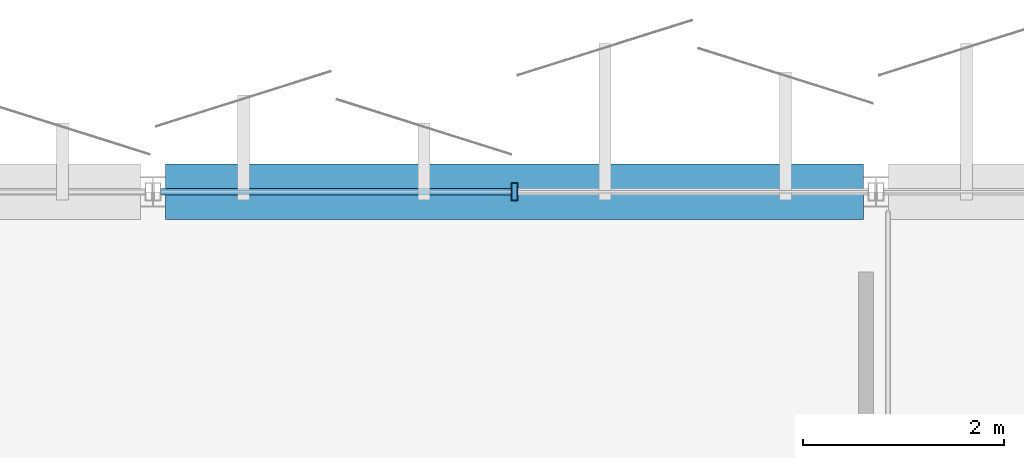
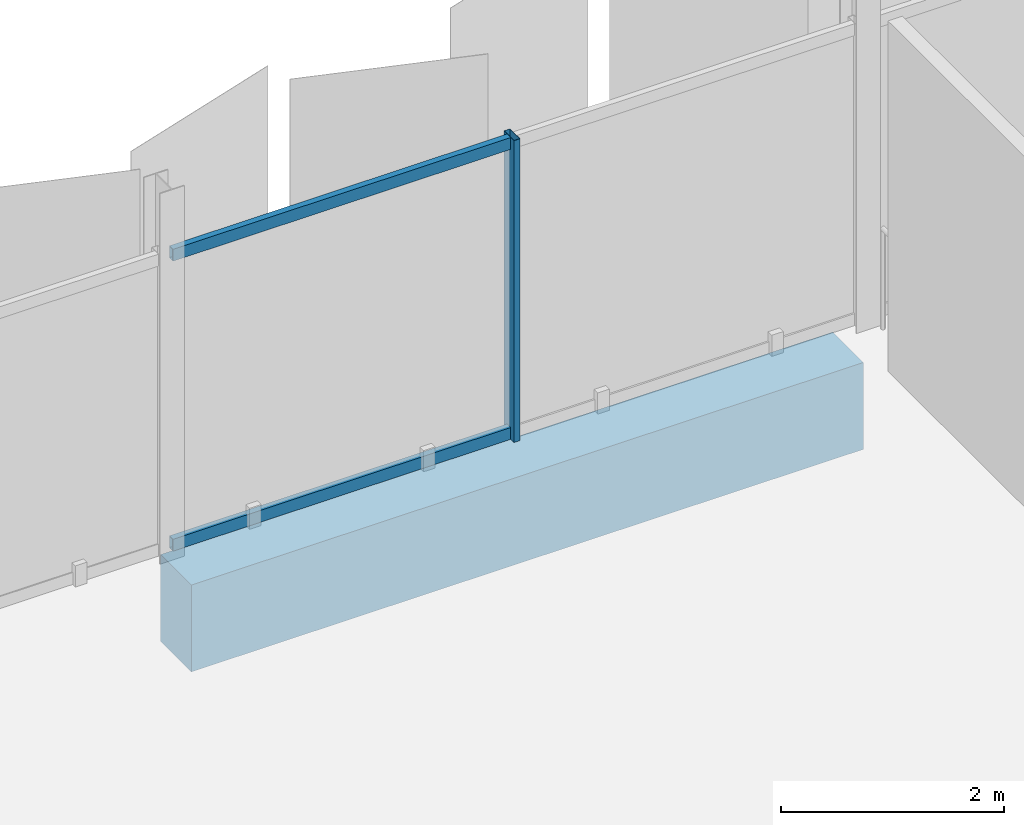
# One storey, part 28 of 77: 3 members, 1 beam, 1 element without a shape of its own.
"""IFC4 building model written with IfcOpenShell, lengths in metres."""

from ifc_helpers import new_model, si_unit, direction, frame, origin, origin_2d, place, context, subcontext, project, spatial, rectangle, hollow_rectangle, extrude, material, layer, layer_set, material_profile, profile_set, type_object, element, aggregate, save


model = new_model("IFC4")

# Units and contexts
model_context = context("Model", 3, precision=1e-05, world=origin(), true_north=direction((0.0, 1.0)))
body_context = subcontext(model_context, "Body", "Model", "MODEL_VIEW")
ifc_project = project(units=[si_unit("LENGTHUNIT", "METRE"), si_unit("AREAUNIT", "SQUARE_METRE"), si_unit("VOLUMEUNIT", "CUBIC_METRE"), si_unit("PLANEANGLEUNIT", "RADIAN"), si_unit("MASSUNIT", "GRAM", prefix="KILO")], contexts=[model_context])

# Site, building, storey
site_placement = place(None, origin())
site = spatial("IfcSite", under=ifc_project, at=site_placement, CompositionType="ELEMENT")
building_placement = place(site_placement, origin())
building = spatial("IfcBuilding", under=site, at=building_placement, Name="Kangsadwip Square Police Headquarters", CompositionType="ELEMENT")
storey_placement = place(building_placement, frame((0.0, 0.0, 17.550048828125)))
storey = spatial("IfcBuildingStorey", under=building, at=storey_placement, Name="L04", CompositionType="ELEMENT", Elevation=17.550048828125)

# Curtain wall, members
ifc_material_1 = material(Name="Thermally broken anodised aluminium AW-6063-T6", Category="aluminium")
ifc_layer = layer(ifc_material_1, 0.159912109375)
ifc_layer_set = layer_set([ifc_layer], Name="Thermally broken anodised aluminium AW-6063-T6")
curtain_wall_type = type_object("IfcCurtainWallType", Name="UnitisedCw7180x3300", PredefinedType="NOTDEFINED", material=ifc_layer_set)
curtain_wall_placement = place(storey_placement, origin())
curtain_wall = element("IfcCurtainWall", 1, at=curtain_wall_placement, inside=storey, type_object=curtain_wall_type, Name="Curtain Wall CW-L04-1224-1152", PredefinedType="NOTDEFINED")
ifc_material_2 = material(Name="Thermally broken anodised aluminium AW-6063-T6", Category="aluminium")
ifc_material_profile_1 = material_profile(ifc_material_2, hollow_rectangle(XDim=0.06494140625, YDim=0.179931640625, WallThickness=0.00390625, at=origin_2d()), Name="CWM 180X65X4")
ifc_profile_set_1 = profile_set([ifc_material_profile_1], Name="Thermally broken anodised aluminium AW-6063-T6")
member_type_1 = type_object("IfcMemberType", Name="CwMullion160x65", PredefinedType="MULLION", material=ifc_profile_set_1)
member_1_placement = place(storey_placement, frame((126.0, 115.199951171875, 0.0), z_axis=(0.0, 0.0, 1.0), x_axis=(1.0, 0.0, 0.0)))
member_1 = element("IfcMember", 2, at=member_1_placement, type_object=member_type_1, Name="CW-43 mullion 2", PredefinedType="MULLION", context=body_context, shape_type="SweptSolid", body=[
    extrude(hollow_rectangle(XDim=0.06494140625, YDim=0.179931640625, WallThickness=0.00390625, at=origin_2d()), origin(), (0.0, 0.0, 1.0), 3.300048828125),
])
ifc_material_3 = material(Name="Thermally broken anodised aluminium AW-6063-T6", Category="aluminium")
ifc_material_profile_2 = material_profile(ifc_material_3, hollow_rectangle(XDim=0.06494140625, YDim=0.1298828125, WallThickness=0.00390625, at=origin_2d()), Name="CWT 130X65X4")
ifc_profile_set_2 = profile_set([ifc_material_profile_2], Name="Thermally broken anodised aluminium AW-6063-T6")
member_type_2 = type_object("IfcMemberType", Name="CwTransom140x60", PredefinedType="USERDEFINED", material=ifc_profile_set_2)
member_2_placement = place(storey_placement, frame((122.47509765625, 115.199951171875, 0.06494140625), z_axis=(1.0, 0.0, 0.0), x_axis=(0.0, 1.0, 0.0)))
member_2 = element("IfcMember", 3, at=member_2_placement, type_object=member_type_2, Name="CW-43 transom 1.1", ObjectType="TRANSOM", PredefinedType="USERDEFINED", context=body_context, shape_type="SweptSolid", body=[
    extrude(hollow_rectangle(XDim=0.06494140625, YDim=0.1298828125, WallThickness=0.00390625, at=origin_2d()), origin(), (0.0, 0.0, 1.0), 3.492431640625),
])
member_3_placement = place(storey_placement, frame((122.47509765625, 115.199951171875, 3.23486328125), z_axis=(1.0, 0.0, 0.0), x_axis=(0.0, 1.0, 0.0)))
member_3 = element("IfcMember", 4, at=member_3_placement, type_object=member_type_2, Name="CW-43 transom 1.2", ObjectType="TRANSOM", PredefinedType="USERDEFINED", context=body_context, shape_type="SweptSolid", body=[
    extrude(hollow_rectangle(XDim=0.06494140625, YDim=0.1298828125, WallThickness=0.00390625, at=origin_2d()), origin(), (0.0, 0.0, 1.0), 3.492431640625),
])
aggregate(curtain_wall, [member_1, member_2, member_3])

# Beam
ifc_material_4 = material(Name="Concrete M40 (40 MPa)", Category="concrete")
ifc_material_profile_3 = material_profile(ifc_material_4, rectangle(XDim=0.550048828125, YDim=0.949951171875, at=origin_2d()), Name="RC TG 950X550")
ifc_profile_set_3 = profile_set([ifc_material_profile_3], Name="Concrete M40 (40 MPa)")
beam_type = type_object("IfcBeamType", Name="RcTransfer950x550", PredefinedType="USERDEFINED", material=ifc_profile_set_3)
beam_placement = place(storey_placement, frame((122.52490234375, 115.199951171875, -0.715087890625), z_axis=(1.0, 0.0, 0.0), x_axis=(0.0, 1.0, 0.0)))
element("IfcBeam", 5, at=beam_placement, inside=storey, type_object=beam_type, Name="Beam BM-L04-X-17-16", ObjectType="TRANSFER_GIRDER", PredefinedType="USERDEFINED", context=body_context, shape_type="SweptSolid", body=[
    extrude(rectangle(XDim=0.550048828125, YDim=0.949951171875, at=origin_2d()), origin(), (0.0, 0.0, 1.0), 6.9501953125),
])

save(model, "model.ifc")
